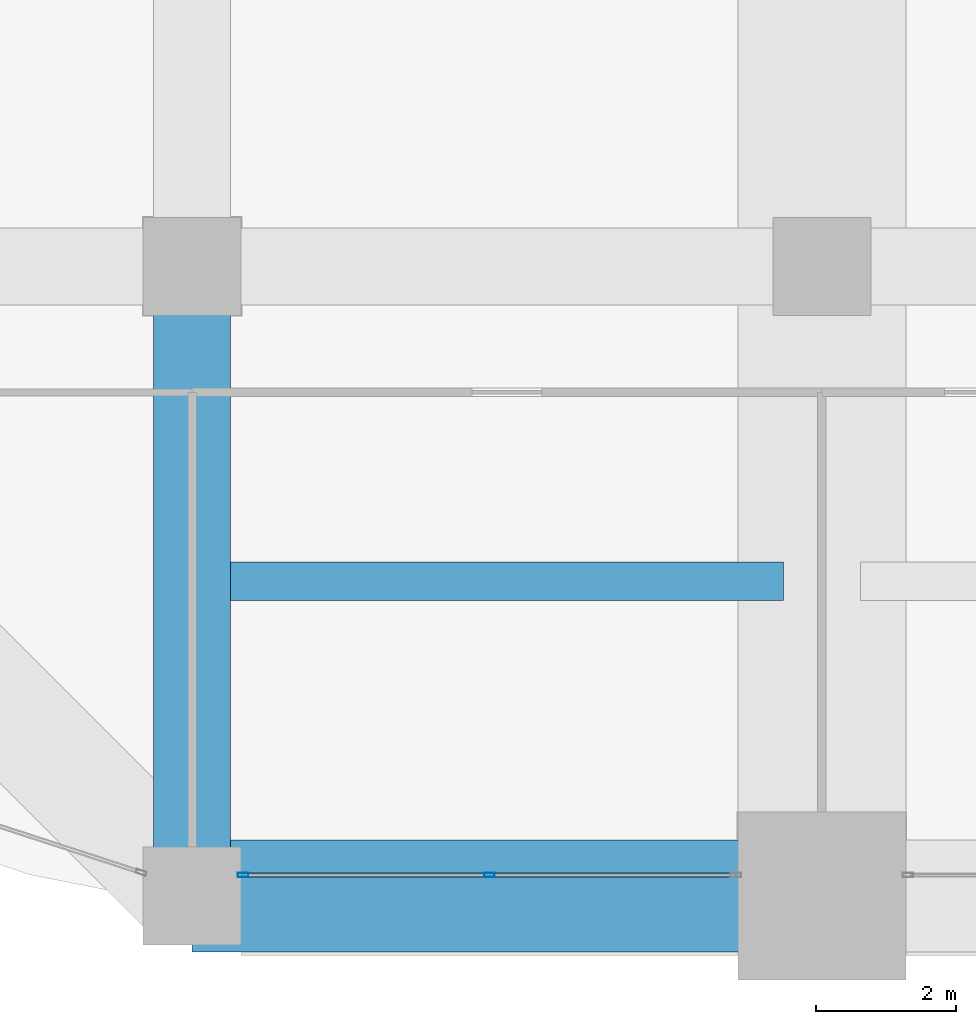
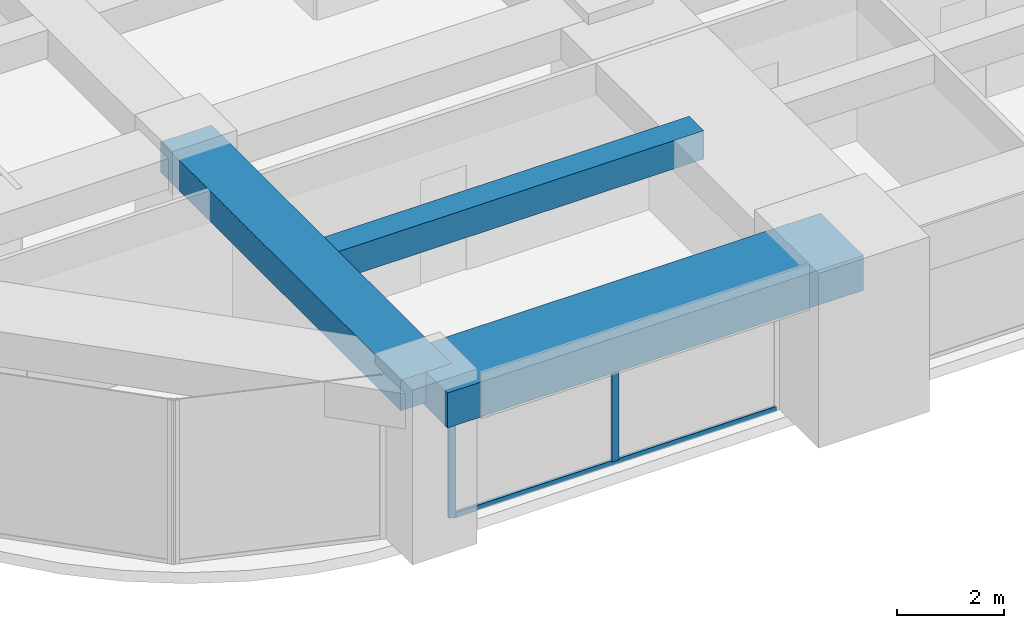
# One storey, part 3 of 35: 3 beams, 3 members, 1 element without a shape of its own.
"""IFC4 building model written with IfcOpenShell, lengths in metres."""

from ifc_helpers import new_model, si_unit, direction, frame, origin, origin_2d, place, context, subcontext, project, spatial, rectangle, hollow_rectangle, extrude, material, material_profile, profile_set, type_object, element, aggregate, save


model = new_model("IFC4")

# Units and contexts
model_context = context("Model", 3, precision=1e-05, world=origin(), true_north=direction((0.0, 1.0)))
body_context = subcontext(model_context, "Body", "Model", "MODEL_VIEW")
ifc_project = project(units=[si_unit("LENGTHUNIT", "METRE"), si_unit("AREAUNIT", "SQUARE_METRE"), si_unit("VOLUMEUNIT", "CUBIC_METRE"), si_unit("PLANEANGLEUNIT", "RADIAN"), si_unit("MASSUNIT", "GRAM", prefix="KILO")], contexts=[model_context])

# Site, building, storey
site_placement = place(None, origin())
site = spatial("IfcSite", under=ifc_project, at=site_placement, CompositionType="ELEMENT")
building_placement = place(site_placement, origin())
building = spatial("IfcBuilding", under=site, at=building_placement, Name="Zorevar Civic Tower", CompositionType="ELEMENT")
storey_placement = place(building_placement, frame((0.0, 0.0, 218.199951171875)))
storey = spatial("IfcBuildingStorey", under=building, at=storey_placement, Name="L53", CompositionType="ELEMENT", Elevation=218.199951171875)

# Beams
ifc_material_1 = material(Name="Concrete C50/60", Category="concrete")
ifc_material_profile_1 = material_profile(ifc_material_1, rectangle(XDim=1.10009765625, YDim=0.699951171875, at=origin_2d()), Name="RC 1100x700")
ifc_profile_set_1 = profile_set([ifc_material_profile_1], Name="Concrete C50/60")
beam_type_1 = type_object("IfcBeamType", Name="Beam RC 1100x700", PredefinedType="BEAM", material=ifc_profile_set_1)
beam_1_placement = place(storey_placement, frame((9.0, 0.0, 3.400146484375), z_axis=(0.0, 1.0, 0.0), x_axis=(-1.0, 0.0, 0.0)))
element("IfcBeam", 1, at=beam_1_placement, inside=storey, type_object=beam_type_1, Name="Girder L54", PredefinedType="BEAM", context=body_context, shape_type="SweptSolid", body=[
    extrude(rectangle(XDim=1.10009765625, YDim=0.699951171875, at=origin_2d()), origin(), (0.0, 0.0, 1.0), 9.0),
])
ifc_material_2 = material(Name="Concrete C50/60", Category="concrete")
ifc_material_profile_2 = material_profile(ifc_material_2, rectangle(XDim=0.550048828125, YDim=0.64990234375, at=origin_2d()), Name="RC 550x650")
ifc_profile_set_2 = profile_set([ifc_material_profile_2], Name="Concrete C50/60")
beam_type_2 = type_object("IfcBeamType", Name="Beam RC 550x650", PredefinedType="BEAM", material=ifc_profile_set_2)
beam_2_placement = place(storey_placement, frame((9.550048828125, 4.5, 3.425048828125), z_axis=(1.0, 0.0, 0.0), x_axis=(0.0, 1.0, 0.0)))
element("IfcBeam", 2, at=beam_2_placement, inside=storey, type_object=beam_type_2, Name="Secondary beam L54", PredefinedType="BEAM", context=body_context, shape_type="SweptSolid", body=[
    extrude(rectangle(XDim=0.550048828125, YDim=0.64990234375, at=origin_2d()), origin(), (0.0, 0.0, 1.0), 7.89990234375),
])

# Curtain wall, members
ifc_material_3 = material(Name="Dark grey solar-control glass in black aluminium frame", Category="aluminium")
curtain_wall_type = type_object("IfcCurtainWallType", Name="Curtain wall CW4 high zone", PredefinedType="NOTDEFINED", material=ifc_material_3)
curtain_wall_placement = place(storey_placement, origin())
curtain_wall = element("IfcCurtainWall", 3, at=curtain_wall_placement, inside=storey, type_object=curtain_wall_type, Name="CW4 L53", PredefinedType="NOTDEFINED")
ifc_material_4 = material(Name="Aluminium, black anodised", Category="aluminium")
ifc_material_profile_3 = material_profile(ifc_material_4, hollow_rectangle(XDim=0.06005859375, YDim=0.14990234375, WallThickness=0.00390625, at=origin_2d()), Name="AL 150x60x4")
ifc_profile_set_3 = profile_set([ifc_material_profile_3], Name="Aluminium, black anodised")
member_type_1 = type_object("IfcMemberType", Name="CW4 mullion AL 150x60x4", PredefinedType="MULLION", material=ifc_profile_set_3)
member_1_placement = place(storey_placement, frame((9.72998046875, 0.300048828125, 0.0), z_axis=(0.0, 0.0, 1.0), x_axis=(0.0, 1.0, 0.0)))
member_1 = element("IfcMember", 4, at=member_1_placement, type_object=member_type_1, Name="CW4 mullion 1", PredefinedType="MULLION", context=body_context, shape_type="SweptSolid", body=[
    extrude(hollow_rectangle(XDim=0.06005859375, YDim=0.14990234375, WallThickness=0.00390625, at=origin_2d()), origin(), (0.0, 0.0, 1.0), 2.949951171875),
])
member_2_placement = place(storey_placement, frame((13.25, 0.300048828125, 0.06005859375), z_axis=(0.0, 0.0, 1.0), x_axis=(0.0, 1.0, 0.0)))
member_2 = element("IfcMember", 5, at=member_2_placement, type_object=member_type_1, Name="CW4 mullion 2", PredefinedType="MULLION", context=body_context, shape_type="SweptSolid", body=[
    extrude(hollow_rectangle(XDim=0.06005859375, YDim=0.14990234375, WallThickness=0.00390625, at=origin_2d()), origin(), (0.0, 0.0, 1.0), 2.889892578125),
])
ifc_material_5 = material(Name="Aluminium, black anodised", Category="aluminium")
ifc_material_profile_4 = material_profile(ifc_material_5, hollow_rectangle(XDim=0.06005859375, YDim=0.1201171875, WallThickness=0.0029296875, at=origin_2d()), Name="AL 120x60x3")
ifc_profile_set_4 = profile_set([ifc_material_profile_4], Name="Aluminium, black anodised")
member_type_2 = type_object("IfcMemberType", Name="CW4 transom AL 120x60x3", PredefinedType="USERDEFINED", material=ifc_profile_set_4)
member_3_placement = place(storey_placement, frame((9.760009765625, 0.300048828125, 0.030029296875), z_axis=(1.0, 0.0, 0.0), x_axis=(0.0, 1.0, 0.0)))
member_3 = element("IfcMember", 6, at=member_3_placement, type_object=member_type_2, Name="CW4 sill transom", ObjectType="TRANSOM", PredefinedType="USERDEFINED", context=body_context, shape_type="SweptSolid", body=[
    extrude(hollow_rectangle(XDim=0.06005859375, YDim=0.1201171875, WallThickness=0.0029296875, at=origin_2d()), origin(), (0.0, 0.0, 1.0), 6.97998046875),
])
aggregate(curtain_wall, [member_1, member_2, member_3])

# Beam
ifc_material_6 = material(Name="Concrete C50/60", Category="concrete")
ifc_material_profile_5 = material_profile(ifc_material_6, rectangle(XDim=1.60009765625, YDim=0.800048828125, at=origin_2d()), Name="RC 1600x800")
ifc_profile_set_5 = profile_set([ifc_material_profile_5], Name="Concrete C50/60")
beam_type_3 = type_object("IfcBeamType", Name="Edge beam RC 1600x800", PredefinedType="SPANDREL", material=ifc_profile_set_5)
beam_3_placement = place(storey_placement, frame((9.0, 0.0, 3.35009765625), z_axis=(1.0, 0.0, 0.0), x_axis=(0.0, 1.0, 0.0)))
element("IfcBeam", 7, at=beam_3_placement, inside=storey, type_object=beam_type_3, Name="Edge beam L54", PredefinedType="SPANDREL", context=body_context, shape_type="SweptSolid", body=[
    extrude(rectangle(XDim=1.60009765625, YDim=0.800048828125, at=origin_2d()), origin(), (0.0, 0.0, 1.0), 9.0),
])

save(model, "model.ifc")
